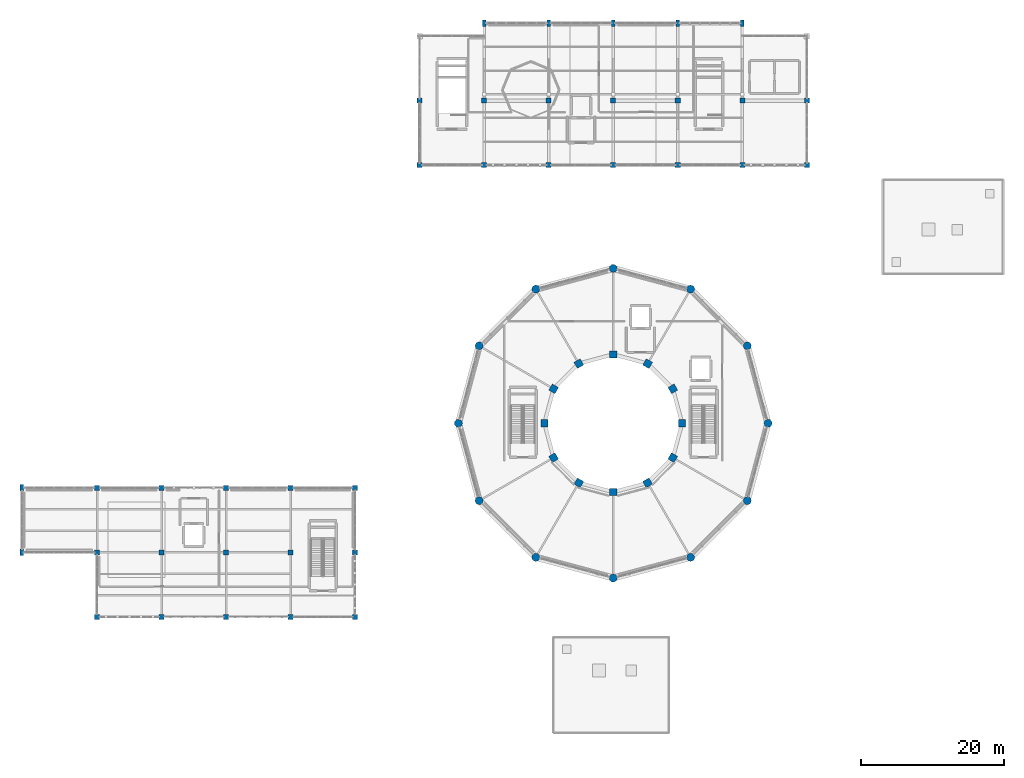
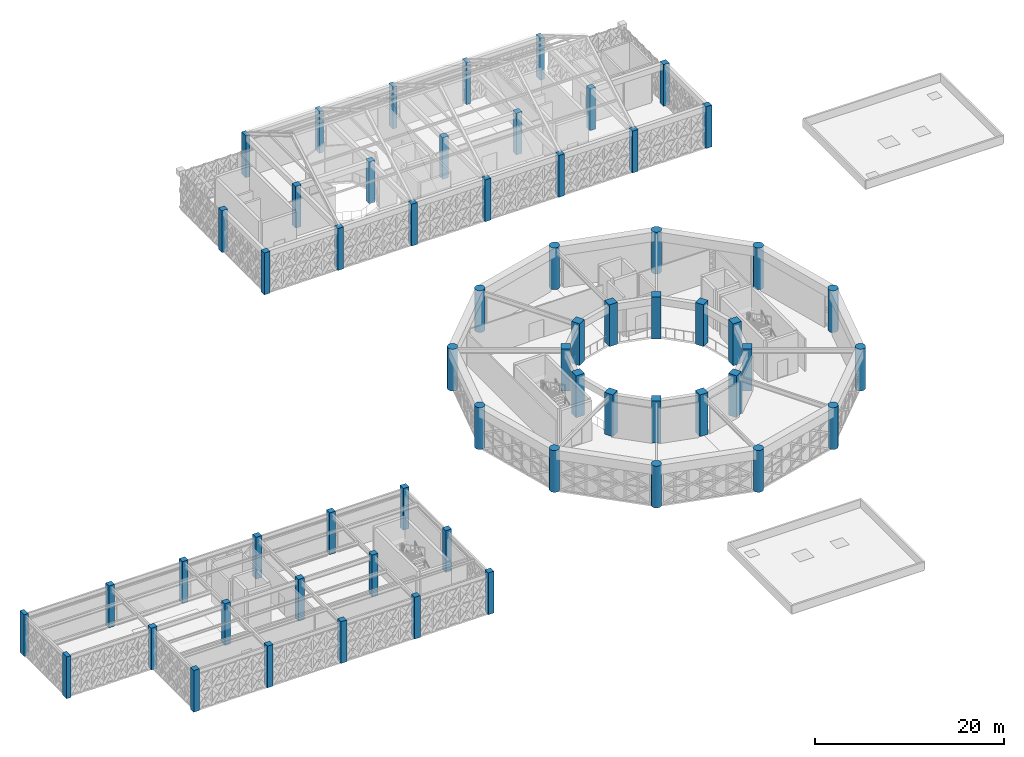
# One storey, part 1 of 72: 60 columns.
"""IFC4 building model written with IfcOpenShell, lengths in metres."""

from ifc_helpers import new_model, si_unit, direction, frame, origin, origin_2d, place, context, subcontext, project, spatial, rectangle, circle, extrude, material, material_profile, profile_set, type_object, element, save


model = new_model("IFC4")

# Units and contexts
model_context = context("Model", 3, precision=1e-05, world=origin(), true_north=direction((0.0, 1.0)))
body_context = subcontext(model_context, "Body", "Model", "MODEL_VIEW")
ifc_project = project(units=[si_unit("LENGTHUNIT", "METRE"), si_unit("AREAUNIT", "SQUARE_METRE"), si_unit("VOLUMEUNIT", "CUBIC_METRE"), si_unit("PLANEANGLEUNIT", "RADIAN"), si_unit("MASSUNIT", "GRAM", prefix="KILO")], contexts=[model_context])

# Site, building, storey
site_placement = place(None, origin())
site = spatial("IfcSite", under=ifc_project, at=site_placement, CompositionType="ELEMENT")
building_placement = place(site_placement, origin())
building = spatial("IfcBuilding", under=site, at=building_placement, Name="Haizhuo Lancet Aquarium", CompositionType="ELEMENT")
storey_placement = place(building_placement, frame((0.0, 0.0, 21.60009765625)))
storey = spatial("IfcBuildingStorey", under=building, at=storey_placement, Name="L04", CompositionType="ELEMENT", Elevation=21.60009765625)

# Columns
ifc_material_1 = material(Name="Concrete C50/60", Category="concrete")
ifc_material_profile_1 = material_profile(ifc_material_1, circle(Radius=0.550048828125, at=origin_2d()), Name="RC-DC 1100")
ifc_profile_set_1 = profile_set([ifc_material_profile_1], Name="Concrete C50/60")
column_type_1 = type_object("IfcColumnType", Name="COL-DC-1100", PredefinedType="COLUMN", material=ifc_profile_set_1)
for number, where, z_axis, x_axis, name in (
    (1, (21.60009765625, 0.0, 0.0), (0.0, 0.0, 1.0), (1.0, 0.0, 0.0), "L04 column V1-COL-001"),
    (2, (18.7060546875, 10.800048828125, 0.0), (0.0, 0.0, 1.0), (0.866025403784, 0.5, 0.0), "L04 column V1-COL-002"),
    (3, (10.800048828125, 18.7060546875, 0.0), (0.0, 0.0, 1.0), (0.5, 0.866025403784, 0.0), "L04 column V1-COL-003"),
    (4, (0.0, 21.60009765625, 0.0), (0.0, 0.0, 1.0), (0.0, 1.0, 0.0), "L04 column V1-COL-004"),
    (5, (-10.800048828125, 18.7060546875, 0.0), (0.0, 0.0, 1.0), (-0.5, 0.866025403784, 0.0), "L04 column V1-COL-005"),
    (6, (-18.7060546875, 10.800048828125, 0.0), (0.0, 0.0, 1.0), (-0.866025403784, 0.5, 0.0), "L04 column V1-COL-006"),
    (7, (-21.60009765625, 0.0, 0.0), (0.0, 0.0, 1.0), (-1.0, 0.0, 0.0), "L04 column V1-COL-007"),
    (8, (-18.7060546875, -10.800048828125, 0.0), (0.0, 0.0, 1.0), (-0.866025403784, -0.5, 0.0), "L04 column V1-COL-008"),
    (9, (-10.800048828125, -18.7060546875, 0.0), (0.0, 0.0, 1.0), (-0.5, -0.866025403784, 0.0), "L04 column V1-COL-009"),
    (10, (0.0, -21.60009765625, 0.0), (0.0, 0.0, 1.0), (0.0, -1.0, 0.0), "L04 column V1-COL-010"),
    (11, (10.800048828125, -18.7060546875, 0.0), (0.0, 0.0, 1.0), (0.5, -0.866025403784, 0.0), "L04 column V1-COL-011"),
    (12, (18.7060546875, -10.800048828125, 0.0), (0.0, 0.0, 1.0), (0.866025403784, -0.5, 0.0), "L04 column V1-COL-012"),
):
    element("IfcColumn", number, at=place(storey_placement, frame(where, z_axis=z_axis, x_axis=x_axis)), inside=storey, type_object=column_type_1, Name=name, PredefinedType="COLUMN", context=body_context, shape_type="SweptSolid", body=[
        extrude(circle(Radius=0.550048828125, at=origin_2d()), origin(), (0.0, 0.0, 1.0), 5.39990234375),
    ])
ifc_material_profile_2 = material_profile(ifc_material_1, rectangle(XDim=1.0, YDim=1.0, at=origin_2d()), Name="RC-COL 1000x1000")
ifc_profile_set_2 = profile_set([ifc_material_profile_2], Name="Concrete C50/60")
column_type_2 = type_object("IfcColumnType", Name="COL-RC-1000", PredefinedType="COLUMN", material=ifc_profile_set_2)
for number, where, z_axis, x_axis, name in (
    (13, (9.60009765625, 0.0, 0.0), (0.0, 0.0, 1.0), (1.0, 0.0, 0.0), "L04 column V1-COL-013"),
    (14, (8.31396484375, 4.800048828125, 0.0), (0.0, 0.0, 1.0), (0.866025403784, 0.5, 0.0), "L04 column V1-COL-014"),
    (15, (4.800048828125, 8.31396484375, 0.0), (0.0, 0.0, 1.0), (0.5, 0.866025403784, 0.0), "L04 column V1-COL-015"),
    (16, (0.0, 9.60009765625, 0.0), (0.0, 0.0, 1.0), (0.0, 1.0, 0.0), "L04 column V1-COL-016"),
    (17, (-4.800048828125, 8.31396484375, 0.0), (0.0, 0.0, 1.0), (-0.5, 0.866025403784, 0.0), "L04 column V1-COL-017"),
    (18, (-8.31396484375, 4.800048828125, 0.0), (0.0, 0.0, 1.0), (-0.866025403784, 0.5, 0.0), "L04 column V1-COL-018"),
    (19, (-9.60009765625, 0.0, 0.0), (0.0, 0.0, 1.0), (-1.0, 0.0, 0.0), "L04 column V1-COL-019"),
    (20, (-8.31396484375, -4.800048828125, 0.0), (0.0, 0.0, 1.0), (-0.866025403784, -0.5, 0.0), "L04 column V1-COL-020"),
    (21, (-4.800048828125, -8.31396484375, 0.0), (0.0, 0.0, 1.0), (-0.5, -0.866025403784, 0.0), "L04 column V1-COL-021"),
    (22, (0.0, -9.60009765625, 0.0), (0.0, 0.0, 1.0), (0.0, -1.0, 0.0), "L04 column V1-COL-022"),
    (23, (4.800048828125, -8.31396484375, 0.0), (0.0, 0.0, 1.0), (0.5, -0.866025403784, 0.0), "L04 column V1-COL-023"),
    (24, (8.31396484375, -4.800048828125, 0.0), (0.0, 0.0, 1.0), (0.866025403784, -0.5, 0.0), "L04 column V1-COL-024"),
):
    element("IfcColumn", number, at=place(storey_placement, frame(where, z_axis=z_axis, x_axis=x_axis)), inside=storey, type_object=column_type_2, Name=name, PredefinedType="COLUMN", context=body_context, shape_type="SweptSolid", body=[
        extrude(rectangle(XDim=1.0, YDim=1.0, at=origin_2d()), origin(), (0.0, 0.0, 1.0), 5.39990234375),
    ])
ifc_material_2 = material(Name="Concrete C40/50", Category="concrete")
ifc_material_profile_3 = material_profile(ifc_material_2, rectangle(XDim=0.699951171875, YDim=0.699951171875, at=origin_2d()), Name="RC-COL 700x700")
ifc_profile_set_3 = profile_set([ifc_material_profile_3], Name="Concrete C40/50")
column_type_3 = type_object("IfcColumnType", Name="COL-RC-700", PredefinedType="COLUMN", material=ifc_profile_set_3)
for number, where, z_axis, x_axis, name in (
    (25, (-27.0, 36.0, 0.0), (0.0, 0.0, 1.0), (1.0, 0.0, 0.0), "L04 column V5-COL-085"),
    (26, (-27.0, 45.0, 0.0), (0.0, 0.0, 1.0), (1.0, 0.0, 0.0), "L04 column V5-COL-086"),
    (27, (-18.0, 36.0, 0.0), (0.0, 0.0, 1.0), (1.0, 0.0, 0.0), "L04 column V5-COL-088"),
    (28, (-18.0, 45.0, 0.0), (0.0, 0.0, 1.0), (1.0, 0.0, 0.0), "L04 column V5-COL-089"),
    (29, (-9.0, 36.0, 0.0), (0.0, 0.0, 1.0), (1.0, 0.0, 0.0), "L04 column V5-COL-092"),
    (30, (-9.0, 45.0, 0.0), (0.0, 0.0, 1.0), (1.0, 0.0, 0.0), "L04 column V5-COL-093"),
    (31, (0.0, 36.0, 0.0), (0.0, 0.0, 1.0), (1.0, 0.0, 0.0), "L04 column V5-COL-096"),
    (32, (0.0, 45.0, 0.0), (0.0, 0.0, 1.0), (1.0, 0.0, 0.0), "L04 column V5-COL-097"),
    (33, (9.0, 36.0, 0.0), (0.0, 0.0, 1.0), (1.0, 0.0, 0.0), "L04 column V5-COL-100"),
    (34, (9.0, 45.0, 0.0), (0.0, 0.0, 1.0), (1.0, 0.0, 0.0), "L04 column V5-COL-101"),
    (35, (18.0, 36.0, 0.0), (0.0, 0.0, 1.0), (1.0, 0.0, 0.0), "L04 column V5-COL-103"),
    (36, (18.0, 45.0, 0.0), (0.0, 0.0, 1.0), (1.0, 0.0, 0.0), "L04 column V5-COL-104"),
    (37, (27.0, 36.0, 0.0), (0.0, 0.0, 1.0), (1.0, 0.0, 0.0), "L04 column V5-COL-106"),
    (38, (27.0, 45.0, 0.0), (0.0, 0.0, 1.0), (1.0, 0.0, 0.0), "L04 column V5-COL-107"),
    (39, (-72.0, -27.0, 0.0), (0.0, 0.0, 1.0), (1.0, 0.0, 0.0), "L04 column V6-COL-110"),
    (40, (-72.0, -18.0, 0.0), (0.0, 0.0, 1.0), (1.0, 0.0, 0.0), "L04 column V6-COL-111"),
    (41, (-72.0, -9.0, 0.0), (0.0, 0.0, 1.0), (1.0, 0.0, 0.0), "L04 column V6-COL-112"),
    (42, (-63.0, -27.0, 0.0), (0.0, 0.0, 1.0), (1.0, 0.0, 0.0), "L04 column V6-COL-113"),
    (43, (-63.0, -18.0, 0.0), (0.0, 0.0, 1.0), (1.0, 0.0, 0.0), "L04 column V6-COL-114"),
    (44, (-63.0, -9.0, 0.0), (0.0, 0.0, 1.0), (1.0, 0.0, 0.0), "L04 column V6-COL-115"),
    (45, (-54.0, -27.0, 0.0), (0.0, 0.0, 1.0), (1.0, 0.0, 0.0), "L04 column V6-COL-117"),
    (46, (-54.0, -18.0, 0.0), (0.0, 0.0, 1.0), (1.0, 0.0, 0.0), "L04 column V6-COL-118"),
    (47, (-54.0, -9.0, 0.0), (0.0, 0.0, 1.0), (1.0, 0.0, 0.0), "L04 column V6-COL-119"),
    (48, (-45.0, -27.0, 0.0), (0.0, 0.0, 1.0), (1.0, 0.0, 0.0), "L04 column V6-COL-121"),
    (49, (-45.0, -18.0, 0.0), (0.0, 0.0, 1.0), (1.0, 0.0, 0.0), "L04 column V6-COL-122"),
    (50, (-45.0, -9.0, 0.0), (0.0, 0.0, 1.0), (1.0, 0.0, 0.0), "L04 column V6-COL-123"),
    (51, (-36.0, -27.0, 0.0), (0.0, 0.0, 1.0), (1.0, 0.0, 0.0), "L04 column V6-COL-125"),
    (52, (-36.0, -18.0, 0.0), (0.0, 0.0, 1.0), (1.0, 0.0, 0.0), "L04 column V6-COL-126"),
    (53, (-36.0, -9.0, 0.0), (0.0, 0.0, 1.0), (1.0, 0.0, 0.0), "L04 column V6-COL-127"),
):
    element("IfcColumn", number, at=place(storey_placement, frame(where, z_axis=z_axis, x_axis=x_axis)), inside=storey, type_object=column_type_3, Name=name, PredefinedType="COLUMN", context=body_context, shape_type="SweptSolid", body=[
        extrude(rectangle(XDim=0.699951171875, YDim=0.699951171875, at=origin_2d()), origin(), (0.0, 0.0, 1.0), 5.39990234375),
    ])
ifc_material_3 = material(Name="Concrete C45/55", Category="concrete")
ifc_material_profile_4 = material_profile(ifc_material_3, rectangle(XDim=0.5, YDim=0.89990234375, at=origin_2d()), Name="RC-PIL 500x900")
ifc_profile_set_4 = profile_set([ifc_material_profile_4], Name="Concrete C45/55")
column_type_4 = type_object("IfcColumnType", Name="PIL-RC-500x900", PredefinedType="PILASTER", material=ifc_profile_set_4)
for number, where, z_axis, x_axis, name in (
    (54, (-18.0, 55.800048828125, 0.0), (0.0, 0.0, 1.0), (1.0, 0.0, 0.0), "L04 column V5-COL-090"),
    (55, (-9.0, 55.800048828125, 0.0), (0.0, 0.0, 1.0), (1.0, 0.0, 0.0), "L04 column V5-COL-094"),
    (56, (0.0, 55.800048828125, 0.0), (0.0, 0.0, 1.0), (1.0, 0.0, 0.0), "L04 column V5-COL-098"),
    (57, (9.0, 55.800048828125, 0.0), (0.0, 0.0, 1.0), (1.0, 0.0, 0.0), "L04 column V5-COL-102"),
    (58, (18.0, 55.800048828125, 0.0), (0.0, 0.0, 1.0), (1.0, 0.0, 0.0), "L04 column V5-COL-105"),
    (59, (-82.5, -18.0, 0.0), (0.0, 0.0, 1.0), (1.0, 0.0, 0.0), "L04 column V6-COL-108"),
    (60, (-82.5, -9.0, 0.0), (0.0, 0.0, 1.0), (1.0, 0.0, 0.0), "L04 column V6-COL-109"),
):
    element("IfcColumn", number, at=place(storey_placement, frame(where, z_axis=z_axis, x_axis=x_axis)), inside=storey, type_object=column_type_4, Name=name, PredefinedType="PILASTER", context=body_context, shape_type="SweptSolid", body=[
        extrude(rectangle(XDim=0.5, YDim=0.89990234375, at=origin_2d()), origin(), (0.0, 0.0, 1.0), 5.39990234375),
    ])

save(model, "model.ifc")
